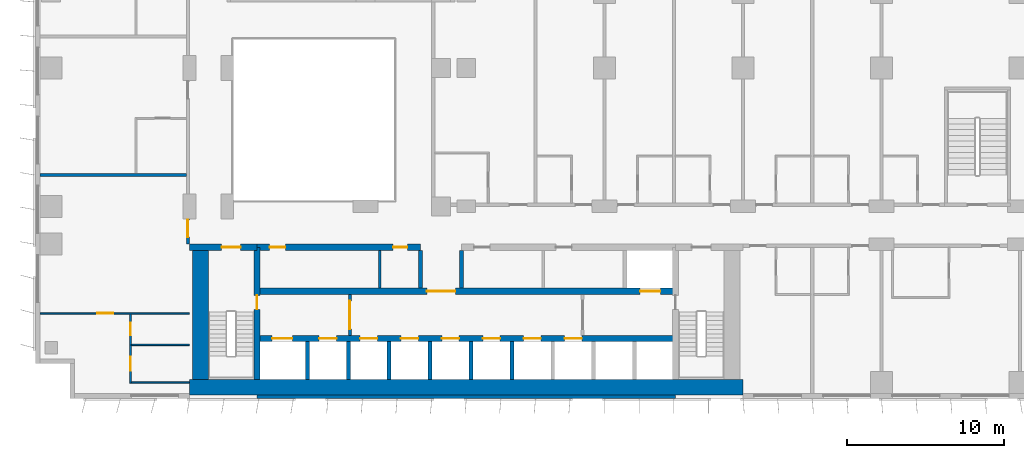
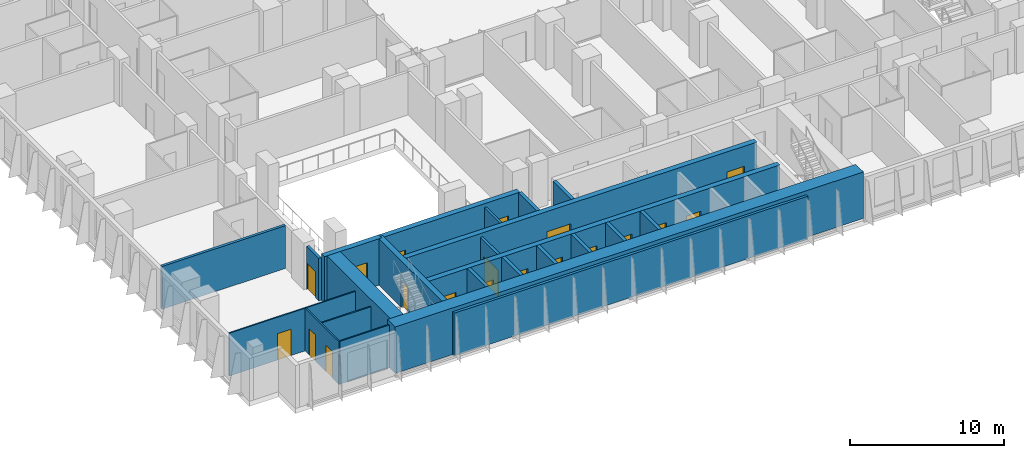
# One storey, part 10 of 23: 24 walls, 19 doors, 19 openings.
"""IFC4 building model written with IfcOpenShell, lengths in metres."""

from ifc_helpers import new_model, si_unit, direction, frame, frame_2d, origin, place, context, subcontext, project, spatial, rectangle, extrude, material, layer, layer_set, type_object, element, fill, save


model = new_model("IFC4")

# Units and contexts
model_context = context("Model", 3, precision=1e-05, world=origin(), true_north=direction((0.0, 1.0)))
body_context = subcontext(model_context, "Body", "Model", "MODEL_VIEW")
ifc_project = project(units=[si_unit("LENGTHUNIT", "METRE"), si_unit("AREAUNIT", "SQUARE_METRE"), si_unit("VOLUMEUNIT", "CUBIC_METRE"), si_unit("PLANEANGLEUNIT", "RADIAN"), si_unit("MASSUNIT", "GRAM", prefix="KILO")], contexts=[model_context])

# Site, building, storey
site_placement = place(None, origin())
site = spatial("IfcSite", under=ifc_project, at=site_placement, CompositionType="ELEMENT")
building_placement = place(site_placement, origin())
building = spatial("IfcBuilding", under=site, at=building_placement, Name="Kemantara Hotel Tower", CompositionType="ELEMENT")
storey_placement = place(building_placement, frame((0.0, 0.0, 34.0)))
storey = spatial("IfcBuildingStorey", under=building, at=storey_placement, Name="L06", CompositionType="ELEMENT", Elevation=34.0)

# Walls
ifc_material_1 = material(Name="Bronze anodised aluminium cladding on insulated steel stud wall", Category="steel")
ifc_layer_1 = layer(ifc_material_1, 0.199951171875)
ifc_layer_set_1 = layer_set([ifc_layer_1], Name="Bronze anodised aluminium cladding on insulated steel stud wall")
wall_type_1 = type_object("IfcWallType", Name="BRONZE METAL-CLAD EXTERNAL WALL 200", PredefinedType="STANDARD", material=ifc_layer_set_1)
wall_1_placement = place(storey_placement, frame((14.10009765625, 0.10009765625, 0.0), z_axis=(0.0, 0.0, 1.0), x_axis=(1.0, 0.0, 0.0)))
element("IfcWall", 1, at=wall_1_placement, inside=storey, type_object=wall_type_1, Name="EXTERNAL WALL L06 T1-R01-2", PredefinedType="STANDARD", context=body_context, shape_type="SweptSolid", body=[
    extrude(rectangle(XDim=26.599853515625, YDim=0.199951171875, at=frame_2d((13.2998046875, 0.0))), origin(), (0.0, 0.0, 1.0), 3.39990234375),
])
ifc_material_2 = material(Name="Concrete fc 70 MPa", Category="concrete")
ifc_layer_2 = layer(ifc_material_2, 1.0)
ifc_layer_set_2 = layer_set([ifc_layer_2], Name="Concrete fc 70 MPa")
wall_type_2 = type_object("IfcWallType", Name="CORE WALL 1000 FC70", PredefinedType="SHEAR", material=ifc_layer_set_2)
wall_2_placement = place(storey_placement, frame((9.800048828125, 0.699951171875, 0.0), z_axis=(0.0, 0.0, 1.0), x_axis=(1.0, 0.0, 0.0)))
element("IfcWall", 2, at=wall_2_placement, inside=storey, type_object=wall_type_2, Name="CORE WALL CW-S", PredefinedType="SHEAR", context=body_context, shape_type="SweptSolid", body=[
    extrude(rectangle(XDim=35.199951171875, YDim=1.0, at=frame_2d((17.60009765625, 0.0))), origin(), (0.0, 0.0, 1.0), 3.699951171875),
])
wall_3_placement = place(storey_placement, frame((10.5, 1.199951171875, 0.0), z_axis=(0.0, 0.0, 1.0), x_axis=(0.0, 1.0, 0.0)))
element("IfcWall", 3, at=wall_3_placement, inside=storey, type_object=wall_type_2, Name="CORE WALL CW-W", PredefinedType="SHEAR", context=body_context, shape_type="SweptSolid", body=[
    extrude(rectangle(XDim=8.60009765625, YDim=1.0, at=frame_2d((4.300048828125, 0.0))), origin(), (0.0, 0.0, 1.0), 3.699951171875),
])
ifc_layer_3 = layer(ifc_material_2, 0.25)
ifc_layer_set_3 = layer_set([ifc_layer_3], Name="Concrete fc 70 MPa")
wall_type_3 = type_object("IfcWallType", Name="CORE WALL 250 FC70", PredefinedType="SHEAR", material=ifc_layer_set_3)
for number, where, z_axis, x_axis, name in (
    (4, (17.300048828125, 1.199951171875, 0.0), (0.0, 0.0, 1.0), (0.0, 1.0, 0.0), "CORE WALL CW-DS17.3"),
    (5, (19.89990234375, 1.199951171875, 0.0), (0.0, 0.0, 1.0), (0.0, 1.0, 0.0), "CORE WALL CW-DS19.9"),
    (6, (22.5, 1.199951171875, 0.0), (0.0, 0.0, 1.0), (0.0, 1.0, 0.0), "CORE WALL CW-DS22.5"),
    (7, (25.10009765625, 1.199951171875, 0.0), (0.0, 0.0, 1.0), (0.0, 1.0, 0.0), "CORE WALL CW-DS25.1"),
    (8, (27.699951171875, 1.199951171875, 0.0), (0.0, 0.0, 1.0), (0.0, 1.0, 0.0), "CORE WALL CW-DS27.7"),
    (9, (30.300048828125, 1.199951171875, 0.0), (0.0, 0.0, 1.0), (0.0, 1.0, 0.0), "CORE WALL CW-DS30.3"),
):
    element("IfcWall", number, at=place(storey_placement, frame(where, z_axis=z_axis, x_axis=x_axis)), inside=storey, type_object=wall_type_3, Name=name, PredefinedType="SHEAR", context=body_context, shape_type="SweptSolid", body=[
        extrude(rectangle(XDim=2.400146484375, YDim=0.25, at=frame_2d((1.2001953125, 0.0))), origin(), (0.0, 0.0, 1.0), 3.699951171875),
    ])
for number, where, z_axis, x_axis, name in (
    (10, (24.5, 7.0, 0.0), (0.0, 0.0, 1.0), (0.0, 1.0, 0.0), "CORE WALL CW-DN24.5"),
    (11, (27.10009765625, 7.0, 0.0), (0.0, 0.0, 1.0), (0.0, 1.0, 0.0), "CORE WALL CW-DN27.1"),
):
    element("IfcWall", number, at=place(storey_placement, frame(where, z_axis=z_axis, x_axis=x_axis)), inside=storey, type_object=wall_type_3, Name=name, PredefinedType="SHEAR", context=body_context, shape_type="SweptSolid", body=[
        extrude(rectangle(XDim=2.39990234375, YDim=0.25, at=frame_2d((1.199951171875, 0.0))), origin(), (0.0, 0.0, 1.0), 3.699951171875),
    ])

# Wall, opening, door
ifc_layer_4 = layer(ifc_material_2, 0.39990234375)
ifc_layer_set_4 = layer_set([ifc_layer_4], Name="Concrete fc 70 MPa")
wall_type_4 = type_object("IfcWallType", Name="CORE WALL 400 FC70", PredefinedType="SHEAR", material=ifc_layer_set_4)
wall_4_placement = place(storey_placement, frame((9.800048828125, 9.60009765625, 0.0), z_axis=(0.0, 0.0, 1.0), x_axis=(1.0, 0.0, 0.0)))
wall_4 = element("IfcWall", 12, at=wall_4_placement, inside=storey, type_object=wall_type_4, Name="CORE WALL CW-N1", PredefinedType="SHEAR", context=body_context, shape_type="SweptSolid", body=[
    extrude(rectangle(XDim=4.300048828125, YDim=0.39990234375, at=frame_2d((2.14990234375, 0.0))), origin(), (0.0, 0.0, 1.0), 3.699951171875),
])
opening_1_placement = place(wall_4_placement, frame((2.050048828125, 0.0, 0.0)))
opening_1 = element("IfcOpeningElement", 13, at=opening_1_placement, cuts=wall_4, Name="Opening C08-ST1-C", PredefinedType="OPENING", context=body_context, shape_type="SweptSolid", body=[
    extrude(rectangle(XDim=1.199951171875, YDim=2.10009765625, at=frame_2d((0.60009765625, 1.050048828125))), frame((0.0, 0.2099609375, 0.0), z_axis=(0.0, -1.0, 0.0), x_axis=(1.0, 0.0, 0.0)), (0.0, 0.0, 1.0), 0.419921875),
])
ifc_material_3 = material(Name="Steel fire door", Category="steel")
door_type_1 = type_object("IfcDoorType", Name="Fire door FD90 1200 x 2100", OperationType="NOTDEFINED", PredefinedType="DOOR", material=ifc_material_3)
door_1_placement = place(opening_1_placement, frame((1.199951171875, 0.0, 0.0), z_axis=(0.0, 0.0, 1.0), x_axis=(-1.0, 0.0, 0.0)))
door_1 = element("IfcDoor", 14, at=door_1_placement, inside=storey, type_object=door_type_1, Name="Stair ST1 door to corridor", OperationType="SINGLE_SWING_LEFT", OverallHeight=2.10009765625, OverallWidth=1.199951171875, PredefinedType="DOOR", context=body_context, shape_type="SweptSolid", body=[
    extrude(rectangle(XDim=1.199951171875, YDim=2.10009765625, at=frame_2d((0.60009765625, 1.050048828125))), frame((0.0, 0.02490234375, 0.0), z_axis=(0.0, -1.0, 0.0), x_axis=(1.0, 0.0, 0.0)), (0.0, 0.0, 1.0), 0.050048828125),
])
fill(opening_1, door_1)

# Wall, openings, doors
wall_5_placement = place(storey_placement, frame((14.10009765625, 9.60009765625, 0.0), z_axis=(0.0, 0.0, 1.0), x_axis=(1.0, 0.0, 0.0)))
wall_5 = element("IfcWall", 15, at=wall_5_placement, inside=storey, type_object=wall_type_4, Name="CORE WALL CW-NN1", PredefinedType="SHEAR", context=body_context, shape_type="SweptSolid", body=[
    extrude(rectangle(XDim=10.39990234375, YDim=0.39990234375, at=frame_2d((5.199951171875, 0.0))), origin(), (0.0, 0.0, 1.0), 3.699951171875),
])
opening_2_placement = place(wall_5_placement, frame((0.800048828125, 0.0, 0.0)))
opening_2 = element("IfcOpeningElement", 16, at=opening_2_placement, cuts=wall_5, Name="Opening C08-R-NW1", PredefinedType="OPENING", context=body_context, shape_type="SweptSolid", body=[
    extrude(rectangle(XDim=1.0, YDim=2.10009765625, at=frame_2d((0.5, 1.050048828125))), frame((0.0, 0.2099609375, 0.0), z_axis=(0.0, -1.0, 0.0), x_axis=(1.0, 0.0, 0.0)), (0.0, 0.0, 1.0), 0.419921875),
])
opening_3_placement = place(wall_5_placement, frame((8.64990234375, 0.0, 0.0)))
opening_3 = element("IfcOpeningElement", 17, at=opening_3_placement, cuts=wall_5, Name="Opening C08-R-NW2", PredefinedType="OPENING", context=body_context, shape_type="SweptSolid", body=[
    extrude(rectangle(XDim=0.89990234375, YDim=2.10009765625, at=frame_2d((0.449951171875, 1.050048828125))), frame((0.0, 0.2099609375, 0.0), z_axis=(0.0, -1.0, 0.0), x_axis=(1.0, 0.0, 0.0)), (0.0, 0.0, 1.0), 0.419921875),
])
door_type_2 = type_object("IfcDoorType", Name="Fire door FD30S 1000 x 2100", OperationType="NOTDEFINED", PredefinedType="DOOR", material=ifc_material_3)
door_2_placement = place(opening_2_placement, frame((1.0, 0.0, 0.0), z_axis=(0.0, 0.0, 1.0), x_axis=(-1.0, 0.0, 0.0)))
door_2 = element("IfcDoor", 18, at=door_2_placement, inside=storey, type_object=door_type_2, Name="Linen Store door", OperationType="SINGLE_SWING_RIGHT", OverallHeight=2.10009765625, OverallWidth=1.0, PredefinedType="DOOR", context=body_context, shape_type="SweptSolid", body=[
    extrude(rectangle(XDim=1.0, YDim=2.10009765625, at=frame_2d((0.5, 1.050048828125))), frame((0.0, 0.02490234375, 0.0), z_axis=(0.0, -1.0, 0.0), x_axis=(1.0, 0.0, 0.0)), (0.0, 0.0, 1.0), 0.050048828125),
])
fill(opening_2, door_2)
door_type_3 = type_object("IfcDoorType", Name="Fire door FD60 900 x 2100", OperationType="NOTDEFINED", PredefinedType="DOOR", material=ifc_material_3)
door_3_placement = place(opening_3_placement, frame((0.89990234375, 0.0, 0.0), z_axis=(0.0, 0.0, 1.0), x_axis=(-1.0, 0.0, 0.0)))
door_3 = element("IfcDoor", 19, at=door_3_placement, inside=storey, type_object=door_type_3, Name="It Equipment Room door", OperationType="SINGLE_SWING_LEFT", OverallHeight=2.10009765625, OverallWidth=0.89990234375, PredefinedType="DOOR", context=body_context, shape_type="SweptSolid", body=[
    extrude(rectangle(XDim=0.89990234375, YDim=2.10009765625, at=frame_2d((0.449951171875, 1.050048828125))), frame((0.0, 0.02490234375, 0.0), z_axis=(0.0, -1.0, 0.0), x_axis=(1.0, 0.0, 0.0)), (0.0, 0.0, 1.0), 0.050048828125),
])
fill(opening_3, door_3)

wall_6_placement = place(storey_placement, frame((14.10009765625, 3.800048828125, 0.0), z_axis=(0.0, 0.0, 1.0), x_axis=(1.0, 0.0, 0.0)))
wall_6 = element("IfcWall", 20, at=wall_6_placement, inside=storey, type_object=wall_type_4, Name="CORE WALL CW-L1", PredefinedType="SHEAR", context=body_context, shape_type="SweptSolid", body=[
    extrude(rectangle(XDim=26.599853515625, YDim=0.39990234375, at=frame_2d((13.2998046875, 0.0))), origin(), (0.0, 0.0, 1.0), 3.699951171875),
])
opening_4_placement = place(wall_6_placement, frame((0.949951171875, 0.0, 0.0)))
opening_4 = element("IfcOpeningElement", 21, at=opening_4_placement, cuts=wall_6, Name="Opening C08-LD-FF1", PredefinedType="OPENING", context=body_context, shape_type="SweptSolid", body=[
    extrude(rectangle(XDim=1.300048828125, YDim=2.10009765625, at=frame_2d((0.64990234375, 1.050048828125))), frame((0.0, 0.2099609375, 0.0), z_axis=(0.0, -1.0, 0.0), x_axis=(1.0, 0.0, 0.0)), (0.0, 0.0, 1.0), 0.419921875),
])
opening_5_placement = place(wall_6_placement, frame((3.949951171875, 0.0, 0.0)))
opening_5 = element("IfcOpeningElement", 22, at=opening_5_placement, cuts=wall_6, Name="Opening C08-LD-SV1", PredefinedType="OPENING", context=body_context, shape_type="SweptSolid", body=[
    extrude(rectangle(XDim=1.10009765625, YDim=2.10009765625, at=frame_2d((0.550048828125, 1.050048828125))), frame((0.0, 0.2099609375, 0.0), z_axis=(0.0, -1.0, 0.0), x_axis=(1.0, 0.0, 0.0)), (0.0, 0.0, 1.0), 0.419921875),
])
opening_6_placement = place(wall_6_placement, frame((6.550048828125, 0.0, 0.0)))
opening_6 = element("IfcOpeningElement", 23, at=opening_6_placement, cuts=wall_6, Name="Opening C08-LD-SV2", PredefinedType="OPENING", context=body_context, shape_type="SweptSolid", body=[
    extrude(rectangle(XDim=1.10009765625, YDim=2.10009765625, at=frame_2d((0.550048828125, 1.050048828125))), frame((0.0, 0.2099609375, 0.0), z_axis=(0.0, -1.0, 0.0), x_axis=(1.0, 0.0, 0.0)), (0.0, 0.0, 1.0), 0.419921875),
])
opening_7_placement = place(wall_6_placement, frame((9.14990234375, 0.0, 0.0)))
opening_7 = element("IfcOpeningElement", 24, at=opening_7_placement, cuts=wall_6, Name="Opening C08-LD-SV3", PredefinedType="OPENING", context=body_context, shape_type="SweptSolid", body=[
    extrude(rectangle(XDim=1.10009765625, YDim=2.10009765625, at=frame_2d((0.550048828125, 1.050048828125))), frame((0.0, 0.2099609375, 0.0), z_axis=(0.0, -1.0, 0.0), x_axis=(1.0, 0.0, 0.0)), (0.0, 0.0, 1.0), 0.419921875),
])
opening_8_placement = place(wall_6_placement, frame((11.75, 0.0, 0.0)))
opening_8 = element("IfcOpeningElement", 25, at=opening_8_placement, cuts=wall_6, Name="Opening C08-LD-LR1", PredefinedType="OPENING", context=body_context, shape_type="SweptSolid", body=[
    extrude(rectangle(XDim=1.10009765625, YDim=2.10009765625, at=frame_2d((0.550048828125, 1.050048828125))), frame((0.0, 0.2099609375, 0.0), z_axis=(0.0, -1.0, 0.0), x_axis=(1.0, 0.0, 0.0)), (0.0, 0.0, 1.0), 0.419921875),
])
opening_9_placement = place(wall_6_placement, frame((14.35009765625, 0.0, 0.0)))
opening_9 = element("IfcOpeningElement", 26, at=opening_9_placement, cuts=wall_6, Name="Opening C08-LD-LR2", PredefinedType="OPENING", context=body_context, shape_type="SweptSolid", body=[
    extrude(rectangle(XDim=1.10009765625, YDim=2.10009765625, at=frame_2d((0.550048828125, 1.050048828125))), frame((0.0, 0.2099609375, 0.0), z_axis=(0.0, -1.0, 0.0), x_axis=(1.0, 0.0, 0.0)), (0.0, 0.0, 1.0), 0.419921875),
])
opening_10_placement = place(wall_6_placement, frame((16.949951171875, 0.0, 0.0)))
opening_10 = element("IfcOpeningElement", 27, at=opening_10_placement, cuts=wall_6, Name="Opening C08-LD-LR3", PredefinedType="OPENING", context=body_context, shape_type="SweptSolid", body=[
    extrude(rectangle(XDim=1.10009765625, YDim=2.10009765625, at=frame_2d((0.550048828125, 1.050048828125))), frame((0.0, 0.2099609375, 0.0), z_axis=(0.0, -1.0, 0.0), x_axis=(1.0, 0.0, 0.0)), (0.0, 0.0, 1.0), 0.419921875),
])
opening_11_placement = place(wall_6_placement, frame((19.550048828125, 0.0, 0.0)))
opening_11 = element("IfcOpeningElement", 28, at=opening_11_placement, cuts=wall_6, Name="Opening C08-LD-LR4", PredefinedType="OPENING", context=body_context, shape_type="SweptSolid", body=[
    extrude(rectangle(XDim=1.10009765625, YDim=2.10009765625, at=frame_2d((0.550048828125, 1.050048828125))), frame((0.0, 0.2099609375, 0.0), z_axis=(0.0, -1.0, 0.0), x_axis=(1.0, 0.0, 0.0)), (0.0, 0.0, 1.0), 0.419921875),
])
ifc_material_4 = material(Name="Stainless steel lift door", Category="steel")
door_type_4 = type_object("IfcDoorType", Name="Lift landing door 1100 x 2100 FD60", OperationType="DOUBLE_DOOR_SLIDING", PredefinedType="DOOR", material=ifc_material_4)
door_4_placement = place(opening_5_placement, origin())
door_4 = element("IfcDoor", 29, at=door_4_placement, inside=storey, type_object=door_type_4, Name="Lift SV1 landing door", OperationType="DOUBLE_DOOR_SLIDING", OverallHeight=2.10009765625, OverallWidth=1.10009765625, PredefinedType="DOOR", context=body_context, shape_type="SweptSolid", body=[
    extrude(rectangle(XDim=1.10009765625, YDim=2.10009765625, at=frame_2d((0.550048828125, 1.050048828125))), frame((0.0, 0.02490234375, 0.0), z_axis=(0.0, -1.0, 0.0), x_axis=(1.0, 0.0, 0.0)), (0.0, 0.0, 1.0), 0.050048828125),
])
fill(opening_5, door_4)
door_5_placement = place(opening_6_placement, origin())
door_5 = element("IfcDoor", 30, at=door_5_placement, inside=storey, type_object=door_type_4, Name="Lift SV2 landing door", OperationType="DOUBLE_DOOR_SLIDING", OverallHeight=2.10009765625, OverallWidth=1.10009765625, PredefinedType="DOOR", context=body_context, shape_type="SweptSolid", body=[
    extrude(rectangle(XDim=1.10009765625, YDim=2.10009765625, at=frame_2d((0.550048828125, 1.050048828125))), frame((0.0, 0.02490234375, 0.0), z_axis=(0.0, -1.0, 0.0), x_axis=(1.0, 0.0, 0.0)), (0.0, 0.0, 1.0), 0.050048828125),
])
fill(opening_6, door_5)
door_6_placement = place(opening_7_placement, origin())
door_6 = element("IfcDoor", 31, at=door_6_placement, inside=storey, type_object=door_type_4, Name="Lift SV3 landing door", OperationType="DOUBLE_DOOR_SLIDING", OverallHeight=2.10009765625, OverallWidth=1.10009765625, PredefinedType="DOOR", context=body_context, shape_type="SweptSolid", body=[
    extrude(rectangle(XDim=1.10009765625, YDim=2.10009765625, at=frame_2d((0.550048828125, 1.050048828125))), frame((0.0, 0.02490234375, 0.0), z_axis=(0.0, -1.0, 0.0), x_axis=(1.0, 0.0, 0.0)), (0.0, 0.0, 1.0), 0.050048828125),
])
fill(opening_7, door_6)
door_7_placement = place(opening_8_placement, origin())
door_7 = element("IfcDoor", 32, at=door_7_placement, inside=storey, type_object=door_type_4, Name="Lift LR1 landing door", OperationType="DOUBLE_DOOR_SLIDING", OverallHeight=2.10009765625, OverallWidth=1.10009765625, PredefinedType="DOOR", context=body_context, shape_type="SweptSolid", body=[
    extrude(rectangle(XDim=1.10009765625, YDim=2.10009765625, at=frame_2d((0.550048828125, 1.050048828125))), frame((0.0, 0.02490234375, 0.0), z_axis=(0.0, -1.0, 0.0), x_axis=(1.0, 0.0, 0.0)), (0.0, 0.0, 1.0), 0.050048828125),
])
fill(opening_8, door_7)
door_8_placement = place(opening_9_placement, origin())
door_8 = element("IfcDoor", 33, at=door_8_placement, inside=storey, type_object=door_type_4, Name="Lift LR2 landing door", OperationType="DOUBLE_DOOR_SLIDING", OverallHeight=2.10009765625, OverallWidth=1.10009765625, PredefinedType="DOOR", context=body_context, shape_type="SweptSolid", body=[
    extrude(rectangle(XDim=1.10009765625, YDim=2.10009765625, at=frame_2d((0.550048828125, 1.050048828125))), frame((0.0, 0.02490234375, 0.0), z_axis=(0.0, -1.0, 0.0), x_axis=(1.0, 0.0, 0.0)), (0.0, 0.0, 1.0), 0.050048828125),
])
fill(opening_9, door_8)
door_9_placement = place(opening_10_placement, origin())
door_9 = element("IfcDoor", 34, at=door_9_placement, inside=storey, type_object=door_type_4, Name="Lift LR3 landing door", OperationType="DOUBLE_DOOR_SLIDING", OverallHeight=2.10009765625, OverallWidth=1.10009765625, PredefinedType="DOOR", context=body_context, shape_type="SweptSolid", body=[
    extrude(rectangle(XDim=1.10009765625, YDim=2.10009765625, at=frame_2d((0.550048828125, 1.050048828125))), frame((0.0, 0.02490234375, 0.0), z_axis=(0.0, -1.0, 0.0), x_axis=(1.0, 0.0, 0.0)), (0.0, 0.0, 1.0), 0.050048828125),
])
fill(opening_10, door_9)
door_10_placement = place(opening_11_placement, origin())
door_10 = element("IfcDoor", 35, at=door_10_placement, inside=storey, type_object=door_type_4, Name="Lift LR4 landing door", OperationType="DOUBLE_DOOR_SLIDING", OverallHeight=2.10009765625, OverallWidth=1.10009765625, PredefinedType="DOOR", context=body_context, shape_type="SweptSolid", body=[
    extrude(rectangle(XDim=1.10009765625, YDim=2.10009765625, at=frame_2d((0.550048828125, 1.050048828125))), frame((0.0, 0.02490234375, 0.0), z_axis=(0.0, -1.0, 0.0), x_axis=(1.0, 0.0, 0.0)), (0.0, 0.0, 1.0), 0.050048828125),
])
fill(opening_11, door_10)
door_type_5 = type_object("IfcDoorType", Name="Lift landing door 1300 x 2100 FD90", OperationType="DOUBLE_DOOR_SLIDING", PredefinedType="DOOR", material=ifc_material_4)
door_11_placement = place(opening_4_placement, origin())
door_11 = element("IfcDoor", 36, at=door_11_placement, inside=storey, type_object=door_type_5, Name="Lift FF1 landing door", OperationType="DOUBLE_DOOR_SLIDING", OverallHeight=2.10009765625, OverallWidth=1.300048828125, PredefinedType="DOOR", context=body_context, shape_type="SweptSolid", body=[
    extrude(rectangle(XDim=1.300048828125, YDim=2.10009765625, at=frame_2d((0.64990234375, 1.050048828125))), frame((0.0, 0.02490234375, 0.0), z_axis=(0.0, -1.0, 0.0), x_axis=(1.0, 0.0, 0.0)), (0.0, 0.0, 1.0), 0.050048828125),
])
fill(opening_4, door_11)

wall_7_placement = place(storey_placement, frame((14.10009765625, 6.800048828125, 0.0), z_axis=(0.0, 0.0, 1.0), x_axis=(1.0, 0.0, 0.0)))
wall_7 = element("IfcWall", 37, at=wall_7_placement, inside=storey, type_object=wall_type_4, Name="CORE WALL CW-L2", PredefinedType="SHEAR", context=body_context, shape_type="SweptSolid", body=[
    extrude(rectangle(XDim=26.599853515625, YDim=0.39990234375, at=frame_2d((13.2998046875, 0.0))), origin(), (0.0, 0.0, 1.0), 3.699951171875),
])
opening_12_placement = place(wall_7_placement, frame((10.800048828125, 0.0, 0.0)))
opening_12 = element("IfcOpeningElement", 38, at=opening_12_placement, cuts=wall_7, Name="Opening C08-VL", PredefinedType="OPENING", context=body_context, shape_type="SweptSolid", body=[
    extrude(rectangle(XDim=1.800048828125, YDim=2.10009765625, at=frame_2d((0.89990234375, 1.050048828125))), frame((0.0, 0.2099609375, 0.0), z_axis=(0.0, -1.0, 0.0), x_axis=(1.0, 0.0, 0.0)), (0.0, 0.0, 1.0), 0.419921875),
])
opening_13_placement = place(wall_7_placement, frame((24.35009765625, 0.0, 0.0)))
opening_13 = element("IfcOpeningElement", 39, at=opening_13_placement, cuts=wall_7, Name="Opening C08-LD-FF2", PredefinedType="OPENING", context=body_context, shape_type="SweptSolid", body=[
    extrude(rectangle(XDim=1.300048828125, YDim=2.10009765625, at=frame_2d((0.64990234375, 1.050048828125))), frame((0.0, 0.2099609375, 0.0), z_axis=(0.0, -1.0, 0.0), x_axis=(1.0, 0.0, 0.0)), (0.0, 0.0, 1.0), 0.419921875),
])
door_type_6 = type_object("IfcDoorType", Name="Fire door pair FD60 1800 x 2100", OperationType="DOUBLE_DOOR_SINGLE_SWING", PredefinedType="DOOR", material=ifc_material_3)
door_12_placement = place(opening_12_placement, frame((1.800048828125, 0.0, 0.0), z_axis=(0.0, 0.0, 1.0), x_axis=(-1.0, 0.0, 0.0)))
door_12 = element("IfcDoor", 40, at=door_12_placement, inside=storey, type_object=door_type_6, Name="Lift lobby entry door", OperationType="DOUBLE_DOOR_SINGLE_SWING", OverallHeight=2.10009765625, OverallWidth=1.800048828125, PredefinedType="DOOR", context=body_context, shape_type="SweptSolid", body=[
    extrude(rectangle(XDim=1.800048828125, YDim=2.10009765625, at=frame_2d((0.89990234375, 1.050048828125))), frame((0.0, 0.02490234375, 0.0), z_axis=(0.0, -1.0, 0.0), x_axis=(1.0, 0.0, 0.0)), (0.0, 0.0, 1.0), 0.050048828125),
])
fill(opening_12, door_12)
door_13_placement = place(opening_13_placement, origin())
door_13 = element("IfcDoor", 41, at=door_13_placement, inside=storey, type_object=door_type_5, Name="Lift FF2 landing door", OperationType="DOUBLE_DOOR_SLIDING", OverallHeight=2.10009765625, OverallWidth=1.300048828125, PredefinedType="DOOR", context=body_context, shape_type="SweptSolid", body=[
    extrude(rectangle(XDim=1.300048828125, YDim=2.10009765625, at=frame_2d((0.64990234375, 1.050048828125))), frame((0.0, 0.02490234375, 0.0), z_axis=(0.0, -1.0, 0.0), x_axis=(1.0, 0.0, 0.0)), (0.0, 0.0, 1.0), 0.050048828125),
])
fill(opening_13, door_13)

# Wall, opening, door
wall_8_placement = place(storey_placement, frame((14.10009765625, 1.199951171875, 0.0), z_axis=(0.0, 0.0, 1.0), x_axis=(0.0, 1.0, 0.0)))
wall_8 = element("IfcWall", 42, at=wall_8_placement, inside=storey, type_object=wall_type_4, Name="CORE WALL CW-ST1E", PredefinedType="SHEAR", context=body_context, shape_type="SweptSolid", body=[
    extrude(rectangle(XDim=8.400146484375, YDim=0.39990234375, at=frame_2d((4.2001953125, 0.0))), origin(), (0.0, 0.0, 1.0), 3.699951171875),
])
opening_14_placement = place(wall_8_placement, frame((4.449951171875, 0.0, 0.0)))
opening_14 = element("IfcOpeningElement", 43, at=opening_14_placement, cuts=wall_8, Name="Opening C08-ST1-F", PredefinedType="OPENING", context=body_context, shape_type="SweptSolid", body=[
    extrude(rectangle(XDim=0.89990234375, YDim=2.10009765625, at=frame_2d((0.449951171875, 1.050048828125))), frame((0.0, 0.2099609375, 0.0), z_axis=(0.0, -1.0, 0.0), x_axis=(1.0, 0.0, 0.0)), (0.0, 0.0, 1.0), 0.419921875),
])
door_type_7 = type_object("IfcDoorType", Name="Fire door FD90 900 x 2100", OperationType="NOTDEFINED", PredefinedType="DOOR", material=ifc_material_3)
door_14_placement = place(opening_14_placement, origin())
door_14 = element("IfcDoor", 44, at=door_14_placement, inside=storey, type_object=door_type_7, Name="Stair ST1 door to firefighting lobby", OperationType="SINGLE_SWING_RIGHT", OverallHeight=2.10009765625, OverallWidth=0.89990234375, PredefinedType="DOOR", context=body_context, shape_type="SweptSolid", body=[
    extrude(rectangle(XDim=0.89990234375, YDim=2.10009765625, at=frame_2d((0.449951171875, 1.050048828125))), frame((0.0, 0.02490234375, 0.0), z_axis=(0.0, -1.0, 0.0), x_axis=(1.0, 0.0, 0.0)), (0.0, 0.0, 1.0), 0.050048828125),
])
fill(opening_14, door_14)

ifc_material_5 = material(Name="Gypsum board partition, steel studs and mineral wool, 200 mm", Category="steel")
ifc_layer_5 = layer(ifc_material_5, 0.199951171875)
ifc_layer_set_5 = layer_set([ifc_layer_5], Name="Gypsum board partition, steel studs and mineral wool, 200 mm")
wall_type_5 = type_object("IfcWallType", Name="CORRIDOR WALL 200", PredefinedType="PARTITIONING", material=ifc_layer_set_5)
wall_9_placement = place(storey_placement, frame((9.699951171875, 9.800048828125, 0.0), z_axis=(0.0, 0.0, 1.0), x_axis=(0.0, 1.0, 0.0)))
wall_9 = element("IfcWall", 45, at=wall_9_placement, inside=storey, type_object=wall_type_5, Name="CORRIDOR WALL 200 030", PredefinedType="PARTITIONING", context=body_context, shape_type="SweptSolid", body=[
    extrude(rectangle(XDim=1.599853515625, YDim=0.199951171875, at=frame_2d((0.7998046875, 0.0))), origin(), (0.0, 0.0, 1.0), 3.39990234375),
])
opening_15_placement = place(wall_9_placement, frame((0.449951171875, 0.0, 0.0)))
opening_15 = element("IfcOpeningElement", 46, at=opening_15_placement, cuts=wall_9, Name="Opening F01-033", PredefinedType="OPENING", context=body_context, shape_type="SweptSolid", body=[
    extrude(rectangle(XDim=1.10009765625, YDim=2.10009765625, at=frame_2d((0.550048828125, 1.050048828125))), frame((0.0, 0.10986328125, 0.0), z_axis=(0.0, -1.0, 0.0), x_axis=(1.0, 0.0, 0.0)), (0.0, 0.0, 1.0), 0.219970703125),
])
ifc_material_6 = material(Name="Hardwood veneer door leaf with steel frame", Category="steel")
door_type_8 = type_object("IfcDoorType", Name="SUITE ENTRANCE DOOR 1100 X 2100 FD30S", OperationType="NOTDEFINED", PredefinedType="DOOR", material=ifc_material_6)
door_15_placement = place(opening_15_placement, origin())
door_15 = element("IfcDoor", 47, at=door_15_placement, inside=storey, type_object=door_type_8, Name="SUITE ENTRANCE DOOR F01-033", OperationType="SINGLE_SWING_RIGHT", OverallHeight=2.10009765625, OverallWidth=1.10009765625, PredefinedType="DOOR", context=body_context, shape_type="SweptSolid", body=[
    extrude(rectangle(XDim=1.10009765625, YDim=2.10009765625, at=frame_2d((0.550048828125, 1.050048828125))), frame((0.0, 0.02490234375, 0.0), z_axis=(0.0, -1.0, 0.0), x_axis=(1.0, 0.0, 0.0)), (0.0, 0.0, 1.0), 0.050048828125),
])
fill(opening_15, door_15)

# Walls
ifc_layer_6 = layer(ifc_material_5, 0.199951171875)
ifc_layer_set_6 = layer_set([ifc_layer_6], Name="Gypsum board partition, steel studs and mineral wool, 200 mm")
wall_type_6 = type_object("IfcWallType", Name="GUEST ROOM PARTY WALL 200", PredefinedType="PARTITIONING", material=ifc_layer_set_6)
wall_10_placement = place(storey_placement, frame((0.31005859375, 14.199951171875, 0.0), z_axis=(0.0, 0.0, 1.0), x_axis=(1.0, 0.0, 0.0)))
element("IfcWall", 48, at=wall_10_placement, inside=storey, type_object=wall_type_6, Name="GUEST ROOM PARTY WALL 200 039", PredefinedType="PARTITIONING", context=body_context, shape_type="SweptSolid", body=[
    extrude(rectangle(XDim=9.2900390625, YDim=0.199951171875, at=frame_2d((4.64501953125, 0.0))), origin(), (0.0, 0.0, 1.0), 3.39990234375),
])
ifc_material_7 = material(Name="Gypsum board partition")
ifc_layer_7 = layer(ifc_material_7, 0.14990234375)
ifc_layer_set_7 = layer_set([ifc_layer_7], Name="Gypsum board partition")
wall_type_7 = type_object("IfcWallType", Name="Gypsum board partition 150 mm", PredefinedType="PARTITIONING", material=ifc_layer_set_7)
wall_11_placement = place(storey_placement, frame((21.89990234375, 7.0, 0.0), z_axis=(0.0, 0.0, 1.0), x_axis=(0.0, 1.0, 0.0)))
element("IfcWall", 49, at=wall_11_placement, inside=storey, type_object=wall_type_7, Name="Core room partition", PredefinedType="PARTITIONING", context=body_context, shape_type="SweptSolid", body=[
    extrude(rectangle(XDim=2.39990234375, YDim=0.14990234375, at=frame_2d((1.199951171875, 0.0))), origin(), (0.0, 0.0, 1.0), 3.39990234375),
])

# Wall, opening, door
ifc_material_8 = material(Name="Gypsum board shaft wall")
ifc_layer_8 = layer(ifc_material_8, 0.199951171875)
ifc_layer_set_8 = layer_set([ifc_layer_8], Name="Gypsum board shaft wall")
wall_type_8 = type_object("IfcWallType", Name="Gypsum board shaft wall 200 mm", PredefinedType="PARTITIONING", material=ifc_layer_set_8)
wall_12_placement = place(storey_placement, frame((20.0, 4.0, 0.0), z_axis=(0.0, 0.0, 1.0), x_axis=(0.0, 1.0, 0.0)))
wall_12 = element("IfcWall", 50, at=wall_12_placement, inside=storey, type_object=wall_type_8, Name="Firefighting lobby partition west", PredefinedType="PARTITIONING", context=body_context, shape_type="SweptSolid", body=[
    extrude(rectangle(XDim=2.60009765625, YDim=0.199951171875, at=frame_2d((1.300048828125, 0.0))), origin(), (0.0, 0.0, 1.0), 3.39990234375),
])
opening_16_placement = place(wall_12_placement, frame((0.39990234375, 0.0, 0.0)))
opening_16 = element("IfcOpeningElement", 51, at=opening_16_placement, cuts=wall_12, Name="Opening C08-FFW", PredefinedType="OPENING", context=body_context, shape_type="SweptSolid", body=[
    extrude(rectangle(XDim=1.800048828125, YDim=2.10009765625, at=frame_2d((0.89990234375, 1.050048828125))), frame((0.0, 0.10986328125, 0.0), z_axis=(0.0, -1.0, 0.0), x_axis=(1.0, 0.0, 0.0)), (0.0, 0.0, 1.0), 0.219970703125),
])
door_16_placement = place(opening_16_placement, origin())
door_16 = element("IfcDoor", 52, at=door_16_placement, inside=storey, type_object=door_type_6, Name="Firefighting lobby door west", OperationType="DOUBLE_DOOR_SINGLE_SWING", OverallHeight=2.10009765625, OverallWidth=1.800048828125, PredefinedType="DOOR", context=body_context, shape_type="SweptSolid", body=[
    extrude(rectangle(XDim=1.800048828125, YDim=2.10009765625, at=frame_2d((0.89990234375, 1.050048828125))), frame((0.0, 0.02490234375, 0.0), z_axis=(0.0, -1.0, 0.0), x_axis=(1.0, 0.0, 0.0)), (0.0, 0.0, 1.0), 0.050048828125),
])
fill(opening_16, door_16)

# Wall, openings, doors
ifc_material_9 = material(Name="Gypsum board partition on steel studs, 100 mm", Category="steel")
ifc_layer_9 = layer(ifc_material_9, 0.10009765625)
ifc_layer_set_9 = layer_set([ifc_layer_9], Name="Gypsum board partition on steel studs, 100 mm")
wall_type_9 = type_object("IfcWallType", Name="ROOM PARTITION 100", PredefinedType="PARTITIONING", material=ifc_layer_set_9)
wall_13_placement = place(storey_placement, frame((6.050048828125, 5.35009765625, 0.0), z_axis=(0.0, 0.0, 1.0), x_axis=(0.0, -1.0, 0.0)))
wall_13 = element("IfcWall", 53, at=wall_13_placement, inside=storey, type_object=wall_type_9, Name="ROOM PARTITION 100 105", PredefinedType="PARTITIONING", context=body_context, shape_type="SweptSolid", body=[
    extrude(rectangle(XDim=4.400146484375, YDim=0.10009765625, at=frame_2d((2.2001953125, 0.0))), origin(), (0.0, 0.0, 1.0), 3.39990234375),
])
opening_17_placement = place(wall_13_placement, frame((2.699951171875, 0.0, 0.0)))
opening_17 = element("IfcOpeningElement", 54, at=opening_17_placement, cuts=wall_13, Name="Opening F01-035", PredefinedType="OPENING", context=body_context, shape_type="SweptSolid", body=[
    extrude(rectangle(XDim=0.89990234375, YDim=2.10009765625, at=frame_2d((0.449951171875, 1.050048828125))), frame((0.0, 0.06005859375, 0.0), z_axis=(0.0, -1.0, 0.0), x_axis=(1.0, 0.0, 0.0)), (0.0, 0.0, 1.0), 0.1201171875),
])
opening_18_placement = place(wall_13_placement, frame((0.550048828125, 0.0, 0.0)))
opening_18 = element("IfcOpeningElement", 55, at=opening_18_placement, cuts=wall_13, Name="Opening F01-036", PredefinedType="OPENING", context=body_context, shape_type="SweptSolid", body=[
    extrude(rectangle(XDim=0.800048828125, YDim=2.10009765625, at=frame_2d((0.39990234375, 1.050048828125))), frame((0.0, 0.06005859375, 0.0), z_axis=(0.0, -1.0, 0.0), x_axis=(1.0, 0.0, 0.0)), (0.0, 0.0, 1.0), 0.1201171875),
])
door_type_9 = type_object("IfcDoorType", Name="BATHROOM DOOR 900 X 2100", OperationType="NOTDEFINED", PredefinedType="DOOR", material=ifc_material_6)
door_17_placement = place(opening_17_placement, origin())
door_17 = element("IfcDoor", 56, at=door_17_placement, inside=storey, type_object=door_type_9, Name="BATHROOM DOOR F01-035", OperationType="SINGLE_SWING_LEFT", OverallHeight=2.10009765625, OverallWidth=0.89990234375, PredefinedType="DOOR", context=body_context, shape_type="SweptSolid", body=[
    extrude(rectangle(XDim=0.89990234375, YDim=2.10009765625, at=frame_2d((0.449951171875, 1.050048828125))), frame((0.0, 0.02490234375, 0.0), z_axis=(0.0, -1.0, 0.0), x_axis=(1.0, 0.0, 0.0)), (0.0, 0.0, 1.0), 0.050048828125),
])
fill(opening_17, door_17)
door_type_10 = type_object("IfcDoorType", Name="WARDROBE DOOR 800 X 2100", OperationType="NOTDEFINED", PredefinedType="DOOR", material=ifc_material_6)
door_18_placement = place(opening_18_placement, origin())
door_18 = element("IfcDoor", 57, at=door_18_placement, inside=storey, type_object=door_type_10, Name="WARDROBE DOOR F01-036", OperationType="SINGLE_SWING_LEFT", OverallHeight=2.10009765625, OverallWidth=0.800048828125, PredefinedType="DOOR", context=body_context, shape_type="SweptSolid", body=[
    extrude(rectangle(XDim=0.800048828125, YDim=2.10009765625, at=frame_2d((0.39990234375, 1.050048828125))), frame((0.0, 0.02490234375, 0.0), z_axis=(0.0, -1.0, 0.0), x_axis=(1.0, 0.0, 0.0)), (0.0, 0.0, 1.0), 0.050048828125),
])
fill(opening_18, door_18)

# Wall, opening, door
wall_14_placement = place(storey_placement, frame((9.7998046875, 5.39990234375, 0.0), z_axis=(0.0, 0.0, 1.0), x_axis=(-1.0, 0.0, 0.0)))
wall_14 = element("IfcWall", 58, at=wall_14_placement, inside=storey, type_object=wall_type_9, Name="ROOM PARTITION 100 107", PredefinedType="PARTITIONING", context=body_context, shape_type="SweptSolid", body=[
    extrude(rectangle(XDim=9.48974609375, YDim=0.10009765625, at=frame_2d((4.744873046875, 0.0))), origin(), (0.0, 0.0, 1.0), 3.39990234375),
])
opening_19_placement = place(wall_14_placement, frame((4.849853515625, 0.0, 0.0)))
opening_19 = element("IfcOpeningElement", 59, at=opening_19_placement, cuts=wall_14, Name="Opening F01-034", PredefinedType="OPENING", context=body_context, shape_type="SweptSolid", body=[
    extrude(rectangle(XDim=1.0, YDim=2.10009765625, at=frame_2d((0.5, 1.050048828125))), frame((0.0, 0.06005859375, 0.0), z_axis=(0.0, -1.0, 0.0), x_axis=(1.0, 0.0, 0.0)), (0.0, 0.0, 1.0), 0.1201171875),
])
door_type_11 = type_object("IfcDoorType", Name="INTERNAL DOOR 1000 X 2100", OperationType="NOTDEFINED", PredefinedType="DOOR", material=ifc_material_6)
door_19_placement = place(opening_19_placement, origin())
door_19 = element("IfcDoor", 60, at=door_19_placement, inside=storey, type_object=door_type_11, Name="INTERNAL DOOR F01-034", OperationType="SINGLE_SWING_LEFT", OverallHeight=2.10009765625, OverallWidth=1.0, PredefinedType="DOOR", context=body_context, shape_type="SweptSolid", body=[
    extrude(rectangle(XDim=1.0, YDim=2.10009765625, at=frame_2d((0.5, 1.050048828125))), frame((0.0, 0.02490234375, 0.0), z_axis=(0.0, -1.0, 0.0), x_axis=(1.0, 0.0, 0.0)), (0.0, 0.0, 1.0), 0.050048828125),
])
fill(opening_19, door_19)

# Walls
for number, where, z_axis, x_axis, name in (
    (61, (6.10009765625, 1.0, 0.0), (0.0, 0.0, 1.0), (1.0, 0.0, 0.0), "ROOM PARTITION 100 108"),
    (62, (6.10009765625, 3.39990234375, 0.0), (0.0, 0.0, 1.0), (1.0, 0.0, 0.0), "ROOM PARTITION 100 109"),
):
    element("IfcWall", number, at=place(storey_placement, frame(where, z_axis=z_axis, x_axis=x_axis)), inside=storey, type_object=wall_type_9, Name=name, PredefinedType="PARTITIONING", context=body_context, shape_type="SweptSolid", body=[
        extrude(rectangle(XDim=3.69970703125, YDim=0.10009765625, at=frame_2d((1.849853515625, 0.0))), origin(), (0.0, 0.0, 1.0), 3.39990234375),
    ])

save(model, "model.ifc")
